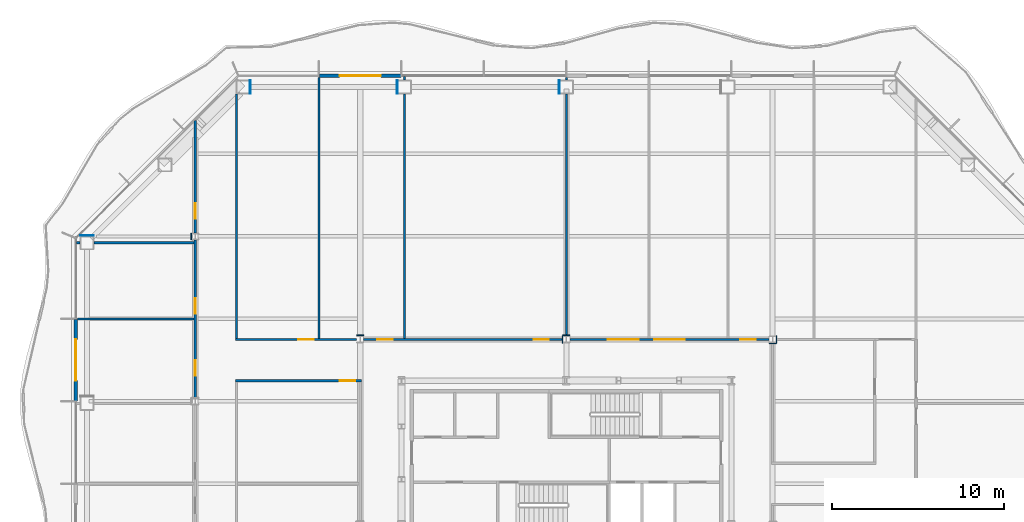
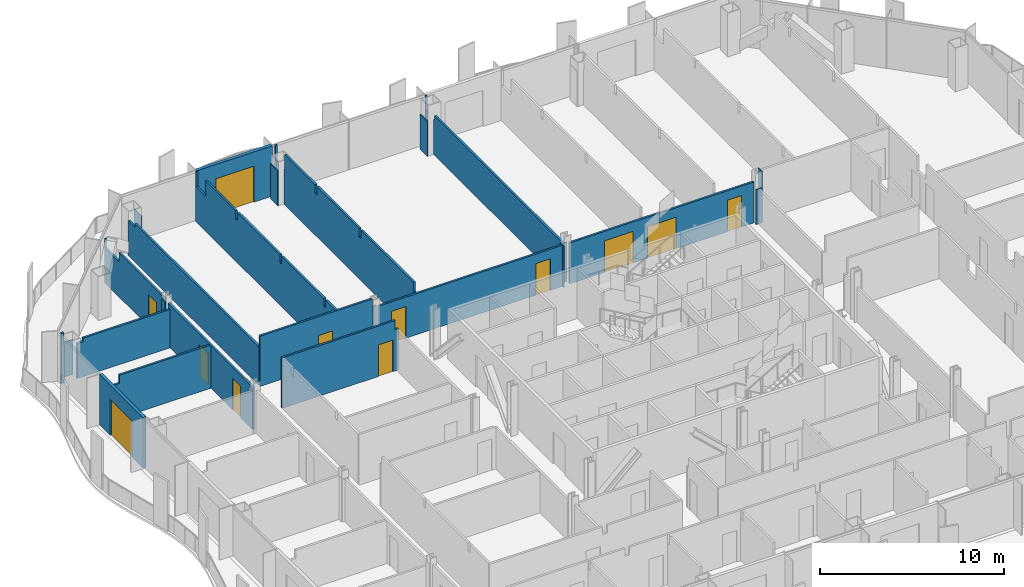
# One storey, part 13 of 23: 27 walls, 12 doors, 12 openings.
"""IFC4 building model written with IfcOpenShell, lengths in metres."""

from ifc_helpers import new_model, si_unit, direction, frame, frame_2d, origin, place, context, subcontext, project, spatial, polyline, rectangle, outline, extrude, material, layer, layer_set, type_object, element, fill, save


model = new_model("IFC4")

# Units and contexts
model_context = context("Model", 3, precision=1e-05, world=origin(), true_north=direction((0.0, 1.0)))
body_context = subcontext(model_context, "Body", "Model", "MODEL_VIEW")
ifc_project = project(units=[si_unit("LENGTHUNIT", "METRE"), si_unit("AREAUNIT", "SQUARE_METRE"), si_unit("VOLUMEUNIT", "CUBIC_METRE"), si_unit("PLANEANGLEUNIT", "RADIAN"), si_unit("MASSUNIT", "GRAM", prefix="KILO")], contexts=[model_context])

# Site, building, storey
site_placement = place(None, origin())
site = spatial("IfcSite", under=ifc_project, at=site_placement, CompositionType="ELEMENT")
building_placement = place(site_placement, origin())
building = spatial("IfcBuilding", under=site, at=building_placement, Name="Cairn Pilgrim Tower", CompositionType="ELEMENT")
storey_placement = place(building_placement, frame((0.0, 0.0, 115.800048828125)))
storey = spatial("IfcBuildingStorey", under=building, at=storey_placement, Name="L28", CompositionType="ELEMENT", Elevation=115.800048828125)

# Wall, opening, door
ifc_material_1 = material(Name="Bronze anodised aluminium insulated sandwich panel with mineral wool fill", Category="aluminium")
ifc_layer_1 = layer(ifc_material_1, 0.199951171875)
ifc_layer_set_1 = layer_set([ifc_layer_1], Name="BRONZE INFILL FRAME WALL 200")
wall_type_1 = type_object("IfcWallType", Name="BRONZE INFILL FRAME WALL 200", PredefinedType="NOTDEFINED", material=ifc_layer_set_1)
wall_1_placement = place(storey_placement, frame((-2.429931640625, 28.550048828125, 0.0), z_axis=(0.0, 0.0, 1.0), x_axis=(-1.0, 0.0, 0.0)))
wall_1 = element("IfcWall", 1, at=wall_1_placement, inside=storey, type_object=wall_type_1, Name="Bronze infill frame wall IW-N7", PredefinedType="NOTDEFINED", context=body_context, shape_type="SweptSolid", body=[
    extrude(rectangle(XDim=4.739990234375, YDim=0.199951171875, at=frame_2d((2.3701171875, 0.0))), origin(), (0.0, 0.0, 1.0), 3.349853515625),
])
opening_1_placement = place(wall_1_placement, frame((1.169921875, 0.0, 0.0)))
opening_1 = element("IfcOpeningElement", 2, at=opening_1_placement, cuts=wall_1, Name="Opening 2818B", PredefinedType="OPENING", context=body_context, shape_type="SweptSolid", body=[
    extrude(rectangle(XDim=2.39990234375, YDim=2.39990234375, at=frame_2d((1.199951171875, 1.199951171875))), frame((0.0, 0.10986328125, 0.0), z_axis=(0.0, -1.0, 0.0), x_axis=(1.0, 0.0, 0.0)), (0.0, 0.0, 1.0), 0.219970703125),
])
ifc_material_2 = material(Name="Bronze anodised aluminium frame with tinted low-E glass", Category="aluminium")
door_type_1 = type_object("IfcDoorType", Name="BALCONY SLIDING DOOR 2400x2400", OperationType="DOUBLE_DOOR_SLIDING", PredefinedType="DOOR", material=ifc_material_2)
door_1_placement = place(opening_1_placement, origin())
door_1 = element("IfcDoor", 3, at=door_1_placement, inside=storey, type_object=door_type_1, Name="Balcony sliding door 2818B", OperationType="SINGLE_SWING_LEFT", OverallHeight=2.39990234375, OverallWidth=2.39990234375, PredefinedType="DOOR", context=body_context, shape_type="SweptSolid", body=[
    extrude(rectangle(XDim=2.39990234375, YDim=2.39990234375, at=frame_2d((1.199951171875, 1.199951171875))), frame((0.0, 0.02490234375, 0.0), z_axis=(0.0, -1.0, 0.0), x_axis=(1.0, 0.0, 0.0)), (0.0, 0.0, 1.0), 0.050048828125),
])
fill(opening_1, door_1)

wall_2_placement = place(storey_placement, frame((-21.35009765625, 14.3701171875, 0.0), z_axis=(0.0, 0.0, 1.0), x_axis=(0.0, -1.0, 0.0)))
wall_2 = element("IfcWall", 4, at=wall_2_placement, inside=storey, type_object=wall_type_1, Name="Bronze infill frame wall IW-W2", PredefinedType="NOTDEFINED", context=body_context, shape_type="SweptSolid", body=[
    extrude(rectangle(XDim=4.740234375, YDim=0.199951171875, at=frame_2d((2.3701171875, 0.0))), origin(), (0.0, 0.0, 1.0), 3.349853515625),
])
opening_2_placement = place(wall_2_placement, frame((1.169921875, 0.0, 0.0)))
opening_2 = element("IfcOpeningElement", 5, at=opening_2_placement, cuts=wall_2, Name="Opening 2814B", PredefinedType="OPENING", context=body_context, shape_type="SweptSolid", body=[
    extrude(rectangle(XDim=2.39990234375, YDim=2.39990234375, at=frame_2d((1.199951171875, 1.199951171875))), frame((0.0, 0.10986328125, 0.0), z_axis=(0.0, -1.0, 0.0), x_axis=(1.0, 0.0, 0.0)), (0.0, 0.0, 1.0), 0.219970703125),
])
door_2_placement = place(opening_2_placement, origin())
door_2 = element("IfcDoor", 6, at=door_2_placement, inside=storey, type_object=door_type_1, Name="Balcony sliding door 2814B", OperationType="SINGLE_SWING_LEFT", OverallHeight=2.39990234375, OverallWidth=2.39990234375, PredefinedType="DOOR", context=body_context, shape_type="SweptSolid", body=[
    extrude(rectangle(XDim=2.39990234375, YDim=2.39990234375, at=frame_2d((1.199951171875, 1.199951171875))), frame((0.0, 0.02490234375, 0.0), z_axis=(0.0, -1.0, 0.0), x_axis=(1.0, 0.0, 0.0)), (0.0, 0.0, 1.0), 0.050048828125),
])
fill(opening_2, door_2)

# Wall, openings, doors
ifc_material_3 = material(Name="Gypsum partition")
ifc_layer_2 = layer(ifc_material_3, 0.125)
ifc_layer_set_2 = layer_set([ifc_layer_2], Name="PARTITION 125 DRYWALL EI 60")
wall_type_2 = type_object("IfcWallType", Name="PARTITION 125 DRYWALL EI 60", PredefinedType="PARTITIONING", material=ifc_layer_set_2)
wall_3_placement = place(storey_placement, frame((-14.39990234375, 9.79638671875, 0.0), z_axis=(0.0, 0.0, 1.0), x_axis=(0.0, 1.0, 0.0)))
wall_3 = element("IfcWall", 7, at=wall_3_placement, inside=storey, type_object=wall_type_2, Name="PARTITION W063", PredefinedType="PARTITIONING", context=body_context, shape_type="SweptSolid", body=[
    extrude(rectangle(XDim=9.20703125, YDim=0.125, at=frame_2d((4.603515625, 0.0))), origin(), (0.0, 0.0, 1.0), 2.829833984375),
])
opening_3_placement = place(wall_3_placement, frame((1.303466796875, 0.0, 0.0)))
opening_3 = element("IfcOpeningElement", 8, at=opening_3_placement, cuts=wall_3, Name="Opening 2814", PredefinedType="OPENING", context=body_context, shape_type="SweptSolid", body=[
    extrude(rectangle(XDim=0.89990234375, YDim=2.10009765625, at=frame_2d((0.449951171875, 1.050048828125))), frame((0.0, 0.072509765625, 0.0), z_axis=(0.0, -1.0, 0.0), x_axis=(1.0, 0.0, 0.0)), (0.0, 0.0, 1.0), 0.14501953125),
])
opening_4_placement = place(wall_3_placement, frame((4.903564453125, 0.0, 0.0)))
opening_4 = element("IfcOpeningElement", 9, at=opening_4_placement, cuts=wall_3, Name="Opening 2815", PredefinedType="OPENING", context=body_context, shape_type="SweptSolid", body=[
    extrude(rectangle(XDim=0.89990234375, YDim=2.10009765625, at=frame_2d((0.449951171875, 1.050048828125))), frame((0.0, 0.072509765625, 0.0), z_axis=(0.0, -1.0, 0.0), x_axis=(1.0, 0.0, 0.0)), (0.0, 0.0, 1.0), 0.14501953125),
])
ifc_material_4 = material(Name="Steel-faced fire door leaf", Category="steel")
door_type_2 = type_object("IfcDoorType", Name="FIRE DOOR 900x2100 FD30S", OperationType="NOTDEFINED", PredefinedType="DOOR", material=ifc_material_4)
door_3_placement = place(opening_3_placement, origin())
door_3 = element("IfcDoor", 10, at=door_3_placement, inside=storey, type_object=door_type_2, Name="DOOR 2814", OperationType="SINGLE_SWING_LEFT", OverallHeight=2.10009765625, OverallWidth=0.89990234375, PredefinedType="DOOR", context=body_context, shape_type="SweptSolid", body=[
    extrude(rectangle(XDim=0.89990234375, YDim=2.10009765625, at=frame_2d((0.449951171875, 1.050048828125))), frame((0.0, 0.02490234375, 0.0), z_axis=(0.0, -1.0, 0.0), x_axis=(1.0, 0.0, 0.0)), (0.0, 0.0, 1.0), 0.050048828125),
])
fill(opening_3, door_3)
door_4_placement = place(opening_4_placement, origin())
door_4 = element("IfcDoor", 11, at=door_4_placement, inside=storey, type_object=door_type_2, Name="DOOR 2815", OperationType="SINGLE_SWING_RIGHT", OverallHeight=2.10009765625, OverallWidth=0.89990234375, PredefinedType="DOOR", context=body_context, shape_type="SweptSolid", body=[
    extrude(rectangle(XDim=0.89990234375, YDim=2.10009765625, at=frame_2d((0.449951171875, 1.050048828125))), frame((0.0, 0.02490234375, 0.0), z_axis=(0.0, -1.0, 0.0), x_axis=(1.0, 0.0, 0.0)), (0.0, 0.0, 1.0), 0.050048828125),
])
fill(opening_4, door_4)

# Wall, opening, door
wall_4_placement = place(storey_placement, frame((-12.0625, 10.800048828125, 0.0), z_axis=(0.0, 0.0, 1.0), x_axis=(1.0, 0.0, 0.0)))
wall_4 = element("IfcWall", 12, at=wall_4_placement, inside=storey, type_object=wall_type_2, Name="PARTITION W064", PredefinedType="PARTITIONING", context=body_context, shape_type="SweptSolid", body=[
    extrude(outline(polyline([(0.0, 0.0), (7.324951171875, 0.0), (7.324951171875, 2.72998046875), (7.112548828125, 2.72998046875), (7.110595703125, 3.349853515625), (0.0, 3.349853515625), (0.0, 0.0)])), frame((0.0, 0.0625, 0.0), z_axis=(0.0, -1.0, 0.0), x_axis=(1.0, 0.0, 0.0)), (0.0, 0.0, 1.0), 0.125),
])
opening_5_placement = place(wall_4_placement, frame((6.0625, 0.0, 0.0)))
opening_5 = element("IfcOpeningElement", 13, at=opening_5_placement, cuts=wall_4, Name="Opening 2835", PredefinedType="OPENING", context=body_context, shape_type="SweptSolid", body=[
    extrude(rectangle(XDim=0.89990234375, YDim=2.10009765625, at=frame_2d((0.449951171875, 1.050048828125))), frame((0.0, 0.072509765625, 0.0), z_axis=(0.0, -1.0, 0.0), x_axis=(1.0, 0.0, 0.0)), (0.0, 0.0, 1.0), 0.14501953125),
])
door_5_placement = place(opening_5_placement, frame((0.89990234375, 0.0, 0.0), z_axis=(0.0, 0.0, 1.0), x_axis=(-1.0, 0.0, 0.0)))
door_5 = element("IfcDoor", 14, at=door_5_placement, inside=storey, type_object=door_type_2, Name="DOOR 2835", OperationType="SINGLE_SWING_RIGHT", OverallHeight=2.10009765625, OverallWidth=0.89990234375, PredefinedType="DOOR", context=body_context, shape_type="SweptSolid", body=[
    extrude(rectangle(XDim=0.89990234375, YDim=2.10009765625, at=frame_2d((0.449951171875, 1.050048828125))), frame((0.0, 0.02490234375, 0.0), z_axis=(0.0, -1.0, 0.0), x_axis=(1.0, 0.0, 0.0)), (0.0, 0.0, 1.0), 0.050048828125),
])
fill(opening_5, door_5)

wall_5_placement = place(storey_placement, frame((-12.0625, 13.199951171875, 0.0), z_axis=(0.0, 0.0, 1.0), x_axis=(1.0, 0.0, 0.0)))
wall_5 = element("IfcWall", 15, at=wall_5_placement, inside=storey, type_object=wall_type_2, Name="PARTITION W065", PredefinedType="PARTITIONING", context=body_context, shape_type="SweptSolid", body=[
    extrude(rectangle(XDim=7.05810546875, YDim=0.125, at=frame_2d((3.529052734375, 0.0))), origin(), (0.0, 0.0, 1.0), 3.349853515625),
])
opening_6_placement = place(wall_5_placement, frame((3.66259765625, 0.0, 0.0)))
opening_6 = element("IfcOpeningElement", 16, at=opening_6_placement, cuts=wall_5, Name="Opening 2817", PredefinedType="OPENING", context=body_context, shape_type="SweptSolid", body=[
    extrude(rectangle(XDim=0.89990234375, YDim=2.10009765625, at=frame_2d((0.449951171875, 1.050048828125))), frame((0.0, 0.072509765625, 0.0), z_axis=(0.0, -1.0, 0.0), x_axis=(1.0, 0.0, 0.0)), (0.0, 0.0, 1.0), 0.14501953125),
])
door_6_placement = place(opening_6_placement, origin())
door_6 = element("IfcDoor", 17, at=door_6_placement, inside=storey, type_object=door_type_2, Name="DOOR 2817", OperationType="SINGLE_SWING_RIGHT", OverallHeight=2.10009765625, OverallWidth=0.89990234375, PredefinedType="DOOR", context=body_context, shape_type="SweptSolid", body=[
    extrude(rectangle(XDim=0.89990234375, YDim=2.10009765625, at=frame_2d((0.449951171875, 1.050048828125))), frame((0.0, 0.02490234375, 0.0), z_axis=(0.0, -1.0, 0.0), x_axis=(1.0, 0.0, 0.0)), (0.0, 0.0, 1.0), 0.050048828125),
])
fill(opening_6, door_6)

# Wall, openings, doors
wall_6_placement = place(storey_placement, frame((-4.595458984375, 13.199951171875, 0.0), z_axis=(0.0, 0.0, 1.0), x_axis=(1.0, 0.0, 0.0)))
wall_6 = element("IfcWall", 18, at=wall_6_placement, inside=storey, type_object=wall_type_2, Name="PARTITION W066", PredefinedType="PARTITIONING", context=body_context, shape_type="SweptSolid", body=[
    extrude(rectangle(XDim=11.591064453125, YDim=0.125, at=frame_2d((5.79541015625, 0.0))), origin(), (0.0, 0.0, 1.0), 2.72998046875),
])
opening_7_placement = place(wall_6_placement, frame((0.79541015625, 0.0, 0.0)))
opening_7 = element("IfcOpeningElement", 19, at=opening_7_placement, cuts=wall_6, Name="Opening 2818", PredefinedType="OPENING", context=body_context, shape_type="SweptSolid", body=[
    extrude(rectangle(XDim=0.89990234375, YDim=2.10009765625, at=frame_2d((0.449951171875, 1.050048828125))), frame((0.0, 0.072509765625, 0.0), z_axis=(0.0, -1.0, 0.0), x_axis=(1.0, 0.0, 0.0)), (0.0, 0.0, 1.0), 0.14501953125),
])
opening_8_placement = place(wall_6_placement, frame((9.881591796875, 0.0, 0.0)))
opening_8 = element("IfcOpeningElement", 20, at=opening_8_placement, cuts=wall_6, Name="Opening 2819", PredefinedType="OPENING", context=body_context, shape_type="SweptSolid", body=[
    extrude(rectangle(XDim=0.89990234375, YDim=2.10009765625, at=frame_2d((0.449951171875, 1.050048828125))), frame((0.0, 0.072509765625, 0.0), z_axis=(0.0, -1.0, 0.0), x_axis=(1.0, 0.0, 0.0)), (0.0, 0.0, 1.0), 0.14501953125),
])
door_7_placement = place(opening_7_placement, origin())
door_7 = element("IfcDoor", 21, at=door_7_placement, inside=storey, type_object=door_type_2, Name="DOOR 2818", OperationType="SINGLE_SWING_LEFT", OverallHeight=2.10009765625, OverallWidth=0.89990234375, PredefinedType="DOOR", context=body_context, shape_type="SweptSolid", body=[
    extrude(rectangle(XDim=0.89990234375, YDim=2.10009765625, at=frame_2d((0.449951171875, 1.050048828125))), frame((0.0, 0.02490234375, 0.0), z_axis=(0.0, -1.0, 0.0), x_axis=(1.0, 0.0, 0.0)), (0.0, 0.0, 1.0), 0.050048828125),
])
fill(opening_7, door_7)
door_8_placement = place(opening_8_placement, origin())
door_8 = element("IfcDoor", 22, at=door_8_placement, inside=storey, type_object=door_type_2, Name="DOOR 2819", OperationType="SINGLE_SWING_RIGHT", OverallHeight=2.10009765625, OverallWidth=0.89990234375, PredefinedType="DOOR", context=body_context, shape_type="SweptSolid", body=[
    extrude(rectangle(XDim=0.89990234375, YDim=2.10009765625, at=frame_2d((0.449951171875, 1.050048828125))), frame((0.0, 0.02490234375, 0.0), z_axis=(0.0, -1.0, 0.0), x_axis=(1.0, 0.0, 0.0)), (0.0, 0.0, 1.0), 0.050048828125),
])
fill(opening_8, door_8)

wall_7_placement = place(storey_placement, frame((7.404541015625, 13.199951171875, 0.0), z_axis=(0.0, 0.0, 1.0), x_axis=(1.0, 0.0, 0.0)))
wall_7 = element("IfcWall", 23, at=wall_7_placement, inside=storey, type_object=wall_type_2, Name="PARTITION W067", PredefinedType="PARTITIONING", context=body_context, shape_type="SweptSolid", body=[
    extrude(rectangle(XDim=11.591064453125, YDim=0.125, at=frame_2d((5.79541015625, 0.0))), origin(), (0.0, 0.0, 1.0), 2.72998046875),
])
opening_9_placement = place(wall_7_placement, frame((2.195556640625, 0.0, 0.0)))
opening_9 = element("IfcOpeningElement", 24, at=opening_9_placement, cuts=wall_7, Name="Opening 2820", PredefinedType="OPENING", context=body_context, shape_type="SweptSolid", body=[
    extrude(rectangle(XDim=1.800048828125, YDim=2.10009765625, at=frame_2d((0.89990234375, 1.050048828125))), frame((0.0, 0.072509765625, 0.0), z_axis=(0.0, -1.0, 0.0), x_axis=(1.0, 0.0, 0.0)), (0.0, 0.0, 1.0), 0.14501953125),
])
opening_10_placement = place(wall_7_placement, frame((4.8955078125, 0.0, 0.0)))
opening_10 = element("IfcOpeningElement", 25, at=opening_10_placement, cuts=wall_7, Name="Opening 2821", PredefinedType="OPENING", context=body_context, shape_type="SweptSolid", body=[
    extrude(rectangle(XDim=1.800048828125, YDim=2.10009765625, at=frame_2d((0.89990234375, 1.050048828125))), frame((0.0, 0.072509765625, 0.0), z_axis=(0.0, -1.0, 0.0), x_axis=(1.0, 0.0, 0.0)), (0.0, 0.0, 1.0), 0.14501953125),
])
opening_11_placement = place(wall_7_placement, frame((9.909423828125, 0.0, 0.0)))
opening_11 = element("IfcOpeningElement", 26, at=opening_11_placement, cuts=wall_7, Name="Opening 2822", PredefinedType="OPENING", context=body_context, shape_type="SweptSolid", body=[
    extrude(rectangle(XDim=0.89990234375, YDim=2.10009765625, at=frame_2d((0.449951171875, 1.050048828125))), frame((0.0, 0.072509765625, 0.0), z_axis=(0.0, -1.0, 0.0), x_axis=(1.0, 0.0, 0.0)), (0.0, 0.0, 1.0), 0.14501953125),
])
ifc_material_5 = material(Name="Timber door leaf", Category="wood")
door_type_3 = type_object("IfcDoorType", Name="DOOR PAIR 1800x2100 FD30S", OperationType="NOTDEFINED", PredefinedType="DOOR", material=ifc_material_5)
door_9_placement = place(opening_9_placement, origin())
door_9 = element("IfcDoor", 27, at=door_9_placement, inside=storey, type_object=door_type_3, Name="DOOR 2820", OperationType="DOUBLE_DOOR_SINGLE_SWING", OverallHeight=2.10009765625, OverallWidth=1.800048828125, PredefinedType="DOOR", context=body_context, shape_type="SweptSolid", body=[
    extrude(rectangle(XDim=1.800048828125, YDim=2.10009765625, at=frame_2d((0.89990234375, 1.050048828125))), frame((0.0, 0.02490234375, 0.0), z_axis=(0.0, -1.0, 0.0), x_axis=(1.0, 0.0, 0.0)), (0.0, 0.0, 1.0), 0.050048828125),
])
fill(opening_9, door_9)
door_10_placement = place(opening_10_placement, origin())
door_10 = element("IfcDoor", 28, at=door_10_placement, inside=storey, type_object=door_type_3, Name="DOOR 2821", OperationType="DOUBLE_DOOR_SINGLE_SWING", OverallHeight=2.10009765625, OverallWidth=1.800048828125, PredefinedType="DOOR", context=body_context, shape_type="SweptSolid", body=[
    extrude(rectangle(XDim=1.800048828125, YDim=2.10009765625, at=frame_2d((0.89990234375, 1.050048828125))), frame((0.0, 0.02490234375, 0.0), z_axis=(0.0, -1.0, 0.0), x_axis=(1.0, 0.0, 0.0)), (0.0, 0.0, 1.0), 0.050048828125),
])
fill(opening_10, door_10)
door_11_placement = place(opening_11_placement, origin())
door_11 = element("IfcDoor", 29, at=door_11_placement, inside=storey, type_object=door_type_2, Name="DOOR 2822", OperationType="SINGLE_SWING_LEFT", OverallHeight=2.10009765625, OverallWidth=0.89990234375, PredefinedType="DOOR", context=body_context, shape_type="SweptSolid", body=[
    extrude(rectangle(XDim=0.89990234375, YDim=2.10009765625, at=frame_2d((0.449951171875, 1.050048828125))), frame((0.0, 0.02490234375, 0.0), z_axis=(0.0, -1.0, 0.0), x_axis=(1.0, 0.0, 0.0)), (0.0, 0.0, 1.0), 0.050048828125),
])
fill(opening_11, door_11)

# Walls
wall_8_placement = place(storey_placement, frame((-12.0, 13.262451171875, 0.0), z_axis=(0.0, 0.0, 1.0), x_axis=(0.0, 1.0, 0.0)))
element("IfcWall", 30, at=wall_8_placement, inside=storey, type_object=wall_type_2, Name="PARTITION W071", PredefinedType="PARTITIONING", context=body_context, shape_type="SweptSolid", body=[
    extrude(outline(polyline([(0.0, 0.0), (14.237548828125, 0.0), (14.237548828125, 2.329833984375), (13.4951171875, 2.329833984375), (13.4931640625, 2.557861328125), (0.0, 2.557861328125), (0.0, 0.0)])), frame((0.0, 0.0625, 0.0), z_axis=(0.0, -1.0, 0.0), x_axis=(1.0, 0.0, 0.0)), (0.0, 0.0, 1.0), 0.125),
])
wall_9_placement = place(storey_placement, frame((-7.199951171875, 13.262451171875, 0.0), z_axis=(0.0, 0.0, 1.0), x_axis=(0.0, 1.0, 0.0)))
element("IfcWall", 31, at=wall_9_placement, inside=storey, type_object=wall_type_2, Name="PARTITION W072", PredefinedType="PARTITIONING", context=body_context, shape_type="SweptSolid", body=[
    extrude(outline(polyline([(0.0, 0.0), (15.1875, 0.0), (15.1875, 3.349853515625), (15.137451171875, 3.349853515625), (15.135498046875, 2.329833984375), (14.137451171875, 2.329833984375), (14.135498046875, 3.349853515625), (10.83740234375, 3.349853515625), (10.83544921875, 2.829833984375), (10.637451171875, 2.829833984375), (10.635498046875, 3.349853515625), (6.03759765625, 3.349853515625), (6.035400390625, 2.829833984375), (5.83740234375, 2.829833984375), (5.83544921875, 3.349853515625), (1.237548828125, 3.349853515625), (1.235595703125, 2.829833984375), (1.03759765625, 2.829833984375), (1.035400390625, 3.349853515625), (0.0, 3.349853515625), (0.0, 0.0)])), frame((0.0, 0.0625, 0.0), z_axis=(0.0, -1.0, 0.0), x_axis=(1.0, 0.0, 0.0)), (0.0, 0.0, 1.0), 0.125),
])
wall_10_placement = place(storey_placement, frame((-2.214111328125, 13.262451171875, 0.0), z_axis=(0.0, 0.0, 1.0), x_axis=(0.0, 1.0, 0.0)))
element("IfcWall", 32, at=wall_10_placement, inside=storey, type_object=wall_type_2, Name="PARTITION W073", PredefinedType="PARTITIONING", context=body_context, shape_type="SweptSolid", body=[
    extrude(outline(polyline([(0.0, 0.0), (14.237548828125, 0.0), (14.237548828125, 2.329833984375), (14.137451171875, 2.329833984375), (14.135498046875, 3.349853515625), (10.842529296875, 3.349853515625), (10.840576171875, 2.780029296875), (10.632568359375, 2.780029296875), (10.630615234375, 3.349853515625), (6.04248046875, 3.349853515625), (6.04052734375, 2.780029296875), (5.83251953125, 2.780029296875), (5.83056640625, 3.349853515625), (0.08740234375, 3.349853515625), (0.08544921875, 2.72998046875), (0.0, 2.72998046875), (0.0, 0.0)])), frame((0.0, 0.0625, 0.0), z_axis=(0.0, -1.0, 0.0), x_axis=(1.0, 0.0, 0.0)), (0.0, 0.0, 1.0), 0.125),
])
wall_11_placement = place(storey_placement, frame((7.199951171875, 13.41259765625, 0.0), z_axis=(0.0, 0.0, 1.0), x_axis=(0.0, 1.0, 0.0)))
element("IfcWall", 33, at=wall_11_placement, inside=storey, type_object=wall_type_2, Name="PARTITION W077", PredefinedType="PARTITIONING", context=body_context, shape_type="SweptSolid", body=[
    extrude(outline(polyline([(0.0, 0.0), (14.08740234375, 0.0), (14.08740234375, 2.329833984375), (13.987548828125, 2.329833984375), (13.985595703125, 2.6298828125), (0.0, 2.6298828125), (0.0, 0.0)])), frame((0.0, 0.0625, 0.0), z_axis=(0.0, -1.0, 0.0), x_axis=(1.0, 0.0, 0.0)), (0.0, 0.0, 1.0), 0.125),
])
wall_12_placement = place(storey_placement, frame((-21.25, 14.39990234375, 0.0), z_axis=(0.0, 0.0, 1.0), x_axis=(1.0, 0.0, 0.0)))
element("IfcWall", 34, at=wall_12_placement, inside=storey, type_object=wall_type_2, Name="PARTITION W078", PredefinedType="PARTITIONING", context=body_context, shape_type="SweptSolid", body=[
    extrude(outline(polyline([(0.0, 0.0), (6.78759765625, 0.0), (6.78759765625, 2.829833984375), (6.699951171875, 2.829833984375), (6.697998046875, 2.8798828125), (1.050048828125, 2.8798828125), (1.048095703125, 2.329833984375), (0.050048828125, 2.329833984375), (0.048095703125, 2.8798828125), (0.0, 2.8798828125), (0.0, 0.0)])), frame((0.0, 0.0625, 0.0), z_axis=(0.0, -1.0, 0.0), x_axis=(1.0, 0.0, 0.0)), (0.0, 0.0, 1.0), 0.125),
])
wall_13_placement = place(storey_placement, frame((-21.302978515625, 18.826904296875, 0.0), z_axis=(0.0, 0.0, 1.0), x_axis=(1.0, 0.0, 0.0)))
element("IfcWall", 35, at=wall_13_placement, inside=storey, type_object=wall_type_2, Name="PARTITION W079", PredefinedType="PARTITIONING", context=body_context, shape_type="SweptSolid", body=[
    extrude(outline(polyline([(0.0, 0.0), (0.202880859375, 0.0), (0.202880859375, 2.46923828125), (0.153076171875, 2.46923828125), (0.15087890625, 3.349853515625), (0.0, 3.349853515625), (0.0, 0.0)])), frame((0.0, 0.0625, 0.0), z_axis=(0.0, -1.0, 0.0), x_axis=(1.0, 0.0, 0.0)), (0.0, 0.0, 1.0), 0.125),
])
wall_14_placement = place(storey_placement, frame((-20.300048828125, 18.826904296875, 0.0), z_axis=(0.0, 0.0, 1.0), x_axis=(1.0, 0.0, 0.0)))
element("IfcWall", 36, at=wall_14_placement, inside=storey, type_object=wall_type_2, Name="PARTITION W080", PredefinedType="PARTITIONING", context=body_context, shape_type="SweptSolid", body=[
    extrude(outline(polyline([(0.0, 0.0), (5.837646484375, 0.0), (5.83740234375, 2.557861328125), (0.369384765625, 2.557861328125), (0.367431640625, 2.329833984375), (0.0, 2.329833984375), (0.0, 0.0)])), frame((0.0, 0.0625, 0.0), z_axis=(0.0, -1.0, 0.0), x_axis=(1.0, 0.0, 0.0)), (0.0, 0.0, 1.0), 0.125),
])

# Wall, opening, door
wall_15_placement = place(storey_placement, frame((-14.39990234375, 19.396484375, 0.0), z_axis=(0.0, 0.0, 1.0), x_axis=(0.0, 1.0, 0.0)))
wall_15 = element("IfcWall", 37, at=wall_15_placement, inside=storey, type_object=wall_type_2, Name="PARTITION W081", PredefinedType="PARTITIONING", context=body_context, shape_type="SweptSolid", body=[
    extrude(outline(polyline([(0.0, 0.0), (6.542236328125, 0.0), (6.5419921875, 2.929931640625), (6.500244140625, 2.929931640625), (6.498291015625, 2.329833984375), (4.961181640625, 2.329833984375), (4.958984375, 2.929931640625), (0.0, 2.929931640625), (0.0, 0.0)])), frame((0.0, 0.0625, 0.0), z_axis=(0.0, -1.0, 0.0), x_axis=(1.0, 0.0, 0.0)), (0.0, 0.0, 1.0), 0.125),
])
opening_12_placement = place(wall_15_placement, frame((0.83056640625, 0.0, 0.0)))
opening_12 = element("IfcOpeningElement", 38, at=opening_12_placement, cuts=wall_15, Name="Opening 2816", PredefinedType="OPENING", context=body_context, shape_type="SweptSolid", body=[
    extrude(rectangle(XDim=0.89990234375, YDim=2.10009765625, at=frame_2d((0.449951171875, 1.050048828125))), frame((0.0, 0.072509765625, 0.0), z_axis=(0.0, -1.0, 0.0), x_axis=(1.0, 0.0, 0.0)), (0.0, 0.0, 1.0), 0.14501953125),
])
door_12_placement = place(opening_12_placement, origin())
door_12 = element("IfcDoor", 39, at=door_12_placement, inside=storey, type_object=door_type_2, Name="DOOR 2816", OperationType="SINGLE_SWING_LEFT", OverallHeight=2.10009765625, OverallWidth=0.89990234375, PredefinedType="DOOR", context=body_context, shape_type="SweptSolid", body=[
    extrude(rectangle(XDim=0.89990234375, YDim=2.10009765625, at=frame_2d((0.449951171875, 1.050048828125))), frame((0.0, 0.02490234375, 0.0), z_axis=(0.0, -1.0, 0.0), x_axis=(1.0, 0.0, 0.0)), (0.0, 0.0, 1.0), 0.050048828125),
])
fill(opening_12, door_12)

# Walls
wall_16_placement = place(storey_placement, frame((-2.214111328125, 28.300048828125, 0.0), z_axis=(0.0, 0.0, 1.0), x_axis=(0.0, 1.0, 0.0)))
element("IfcWall", 40, at=wall_16_placement, inside=storey, type_object=wall_type_2, Name="PARTITION W082", PredefinedType="PARTITIONING", context=body_context, shape_type="SweptSolid", body=[
    extrude(outline(polyline([(0.0, 0.0), (0.202880859375, 0.0), (0.202880859375, 3.349853515625), (0.10009765625, 3.349853515625), (0.097900390625, 2.329833984375), (0.0, 2.329833984375), (0.0, 0.0)])), frame((0.0, 0.0625, 0.0), z_axis=(0.0, -1.0, 0.0), x_axis=(1.0, 0.0, 0.0)), (0.0, 0.0, 1.0), 0.125),
])
wall_17_placement = place(storey_placement, frame((7.199951171875, 28.300048828125, 0.0), z_axis=(0.0, 0.0, 1.0), x_axis=(0.0, 1.0, 0.0)))
element("IfcWall", 41, at=wall_17_placement, inside=storey, type_object=wall_type_2, Name="PARTITION W083", PredefinedType="PARTITIONING", context=body_context, shape_type="SweptSolid", body=[
    extrude(outline(polyline([(0.0, 0.0), (0.14990234375, 0.0), (0.14990234375, 3.349853515625), (0.10009765625, 3.349853515625), (0.097900390625, 2.329833984375), (0.0, 2.329833984375), (0.0, 0.0)])), frame((0.0, 0.0625, 0.0), z_axis=(0.0, -1.0, 0.0), x_axis=(1.0, 0.0, 0.0)), (0.0, 0.0, 1.0), 0.125),
])
ifc_layer_3 = layer(ifc_material_3, 0.050048828125)
ifc_layer_set_3 = layer_set([ifc_layer_3], Name="PARTITION 50 DRYWALL EI 60")
wall_type_3 = type_object("IfcWallType", Name="PARTITION 50 DRYWALL EI 60", PredefinedType="PARTITIONING", material=ifc_layer_set_3)
wall_18_placement = place(storey_placement, frame((-14.62451171875, 19.00341796875, 0.0), z_axis=(0.0, 0.0, 1.0), x_axis=(0.0, 1.0, 0.0)))
element("IfcWall", 42, at=wall_18_placement, inside=storey, type_object=wall_type_3, Name="COLUMN CASING WC09", PredefinedType="PARTITIONING", context=body_context, shape_type="SweptSolid", body=[
    extrude(rectangle(XDim=0.39306640625, YDim=0.050048828125, at=frame_2d((0.196533203125, 0.0))), origin(), (0.0, 0.0, 1.0), 2.969970703125),
])
wall_19_placement = place(storey_placement, frame((19.429443359375, 12.987548828125, 0.0), z_axis=(0.0, 0.0, 1.0), x_axis=(0.0, 1.0, 0.0)))
element("IfcWall", 43, at=wall_19_placement, inside=storey, type_object=wall_type_3, Name="COLUMN CASING WC21", PredefinedType="PARTITIONING", context=body_context, shape_type="SweptSolid", body=[
    extrude(rectangle(XDim=0.425048828125, YDim=0.050048828125, at=frame_2d((0.21240234375, 0.0))), origin(), (0.0, 0.0, 1.0), 3.349853515625),
])
for number, where, z_axis, x_axis, name in (
    (44, (-5.00439453125, 13.4375, 0.0), (0.0, 0.0, 1.0), (1.0, 0.0, 0.0), "COLUMN CASING WC25"),
    (45, (6.99560546875, 13.4375, 0.0), (0.0, 0.0, 1.0), (1.0, 0.0, 0.0), "COLUMN CASING WC26"),
):
    element("IfcWall", number, at=place(storey_placement, frame(where, z_axis=z_axis, x_axis=x_axis)), inside=storey, type_object=wall_type_3, Name=name, PredefinedType="PARTITIONING", context=body_context, shape_type="SweptSolid", body=[
        extrude(rectangle(XDim=0.408935546875, YDim=0.050048828125, at=frame_2d((0.20458984375, 0.0))), origin(), (0.0, 0.0, 1.0), 2.6298828125),
    ])
wall_20_placement = place(storey_placement, frame((18.99560546875, 12.96240234375, 0.0), z_axis=(0.0, 0.0, 1.0), x_axis=(1.0, 0.0, 0.0)))
element("IfcWall", 46, at=wall_20_placement, inside=storey, type_object=wall_type_3, Name="COLUMN CASING WC27", PredefinedType="PARTITIONING", context=body_context, shape_type="SweptSolid", body=[
    extrude(rectangle(XDim=0.408935546875, YDim=0.050048828125, at=frame_2d((0.20458984375, 0.0))), origin(), (0.0, 0.0, 1.0), 2.322021484375),
])
for number, where, z_axis, x_axis, name in (
    (47, (-11.2021484375, 27.5, 0.0), (0.0, 0.0, 1.0), (0.0, 1.0, 0.0), "COLUMN CASING WC28"),
    (48, (-2.638671875, 27.5, 0.0), (0.0, 0.0, 1.0), (0.0, 1.0, 0.0), "COLUMN CASING WC29"),
):
    element("IfcWall", number, at=place(storey_placement, frame(where, z_axis=z_axis, x_axis=x_axis)), inside=storey, type_object=wall_type_3, Name=name, PredefinedType="PARTITIONING", context=body_context, shape_type="SweptSolid", body=[
        extrude(rectangle(XDim=0.800048828125, YDim=0.050048828125, at=frame_2d((0.39990234375, 0.0))), origin(), (0.0, 0.0, 1.0), 2.329833984375),
    ])
wall_21_placement = place(storey_placement, frame((6.970458984375, 12.987548828125, 0.0), z_axis=(0.0, 0.0, 1.0), x_axis=(0.0, 1.0, 0.0)))
element("IfcWall", 49, at=wall_21_placement, inside=storey, type_object=wall_type_3, Name="COLUMN CASING WC30", PredefinedType="PARTITIONING", context=body_context, shape_type="SweptSolid", body=[
    extrude(rectangle(XDim=0.425048828125, YDim=0.050048828125, at=frame_2d((0.21240234375, 0.0))), origin(), (0.0, 0.0, 1.0), 2.72998046875),
])
for number, where, z_axis, x_axis, name in (
    (50, (6.77490234375, 27.5, 0.0), (0.0, 0.0, 1.0), (0.0, 1.0, 0.0), "COLUMN CASING WC31"),
    (51, (-21.10009765625, 19.252197265625, 0.0), (0.0, 0.0, 1.0), (1.0, 0.0, 0.0), "COLUMN CASING WC33"),
):
    element("IfcWall", number, at=place(storey_placement, frame(where, z_axis=z_axis, x_axis=x_axis)), inside=storey, type_object=wall_type_3, Name=name, PredefinedType="PARTITIONING", context=body_context, shape_type="SweptSolid", body=[
        extrude(rectangle(XDim=0.800048828125, YDim=0.050048828125, at=frame_2d((0.39990234375, 0.0))), origin(), (0.0, 0.0, 1.0), 2.329833984375),
    ])

save(model, "model.ifc")
